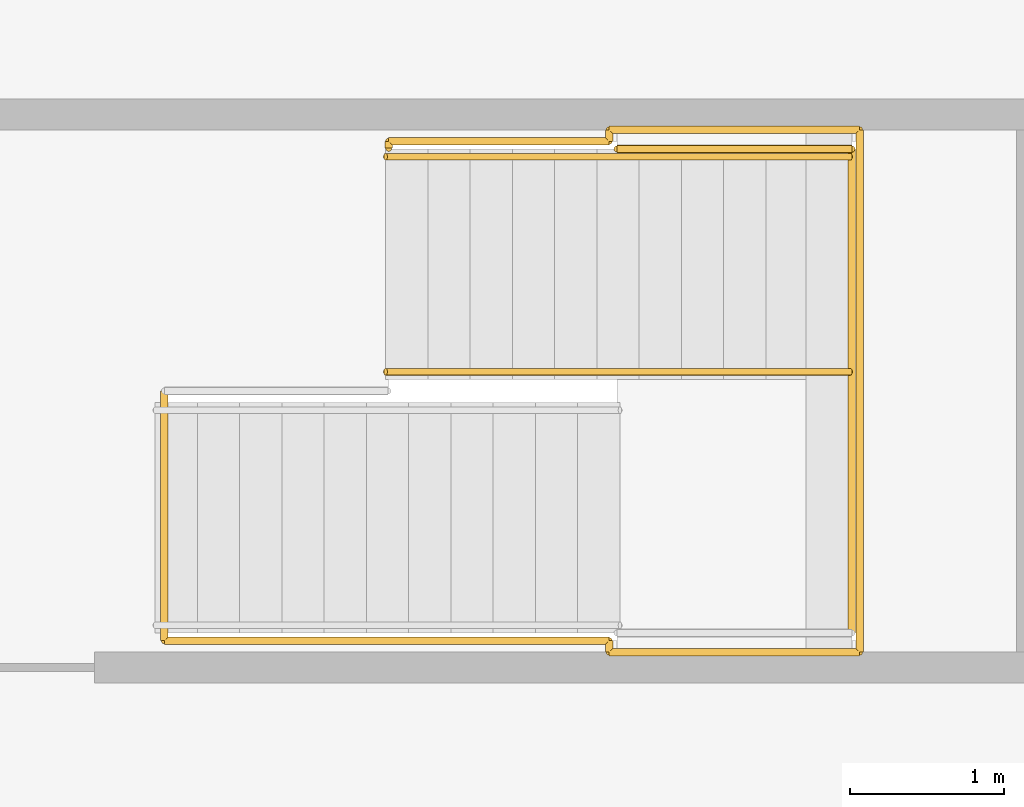
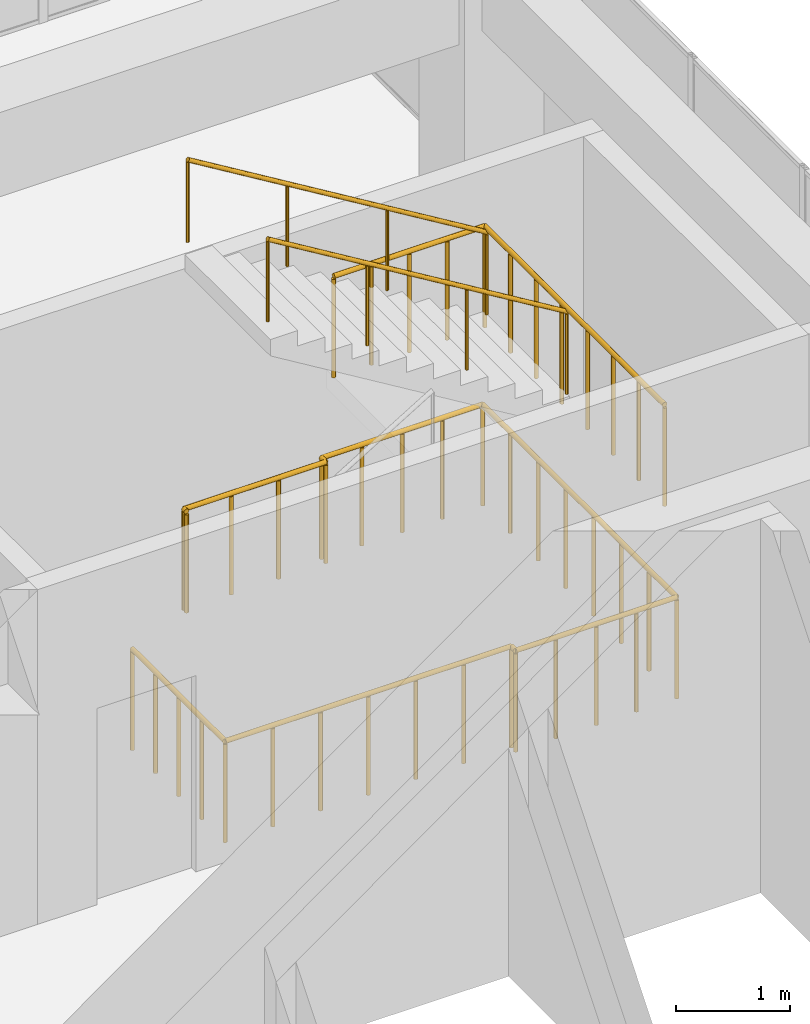
# One storey, part 52 of 52: 5 railings.
"""IFC4 building model written with IfcOpenShell, lengths in metres."""

from ifc_helpers import new_model, si_unit, direction, frame, origin, origin_2d, place, context, subcontext, project, spatial, circle, extrude, material, type_object, element, save


model = new_model("IFC4")

# Units and contexts
model_context = context("Model", 3, precision=1e-05, world=origin(), true_north=direction((0.0, 1.0)))
body_context = subcontext(model_context, "Body", "Model", "MODEL_VIEW")
ifc_project = project(units=[si_unit("LENGTHUNIT", "METRE"), si_unit("AREAUNIT", "SQUARE_METRE"), si_unit("VOLUMEUNIT", "CUBIC_METRE"), si_unit("PLANEANGLEUNIT", "RADIAN"), si_unit("MASSUNIT", "GRAM", prefix="KILO")], contexts=[model_context])

# Site, building, storey
site_placement = place(None, origin())
site = spatial("IfcSite", under=ifc_project, at=site_placement, CompositionType="ELEMENT")
building_placement = place(site_placement, origin())
building = spatial("IfcBuilding", under=site, at=building_placement, Name="Tuart Plaza Theatre", CompositionType="ELEMENT")
storey_placement = place(building_placement, frame((0.0, 0.0, 25.5)))
storey = spatial("IfcBuildingStorey", under=building, at=storey_placement, Name="L06", CompositionType="ELEMENT", Elevation=25.5)

# Railings
ifc_material_1 = material(Name="Steel Grade C350L0", Category="steel")
railing_type_1 = type_object("IfcRailingType", Name="RAILING Guard 1100", PredefinedType="GUARDRAIL", material=ifc_material_1)
railing_1_placement = place(storey_placement, frame((136.114990234375, 88.705078125, 0.0)))
element("IfcRailing", 1, at=railing_1_placement, inside=storey, type_object=railing_type_1, Name="GR304", PredefinedType="GUARDRAIL", context=body_context, shape_type="SweptSolid", body=[
    extrude(circle(Radius=0.02490234375, at=origin_2d()), frame((0.0, 0.0, 1.0751953125), z_axis=(0.0, 1.0, 0.0), x_axis=(-1.0, 0.0, 0.0)), (0.0, 0.0, 1.0), 0.044921875),
    extrude(circle(Radius=0.02490234375, at=origin_2d()), frame((0.0, 0.044921875, 1.0751953125), z_axis=(1.0, 0.0, 0.0), x_axis=(0.0, 1.0, 0.0)), (0.0, 0.0, 1.0), 1.43505859375),
    extrude(circle(Radius=0.02490234375, at=origin_2d()), frame((1.43505859375, 0.044921875, 1.0751953125), z_axis=(0.0, 1.0, 0.0), x_axis=(-1.0, 0.0, 0.0)), (0.0, 0.0, 1.0), 0.074951171875),
    extrude(circle(Radius=0.02490234375, at=origin_2d()), frame((1.43505859375, 0.119873046875, 1.0751953125), z_axis=(1.0, 0.0, 0.0), x_axis=(0.0, 1.0, 0.0)), (0.0, 0.0, 1.0), 1.6298828125),
    extrude(circle(Radius=0.02490234375, at=origin_2d()), frame((3.06494140625, 0.119873046875, 1.0751953125), z_axis=(0.0, -1.0, 0.0), x_axis=(1.0, 0.0, 0.0)), (0.0, 0.0, 1.0), 3.39990234375),
    extrude(circle(Radius=0.02490234375, at=origin_2d()), frame((3.06494140625, -3.280029296875, 1.0751953125), z_axis=(-1.0, 0.0, 0.0), x_axis=(0.0, -1.0, 0.0)), (0.0, 0.0, 1.0), 1.6298828125),
    extrude(circle(Radius=0.02490234375, at=origin_2d()), frame((1.43505859375, -3.280029296875, 1.0751953125), z_axis=(0.0, 1.0, 0.0), x_axis=(-1.0, 0.0, 0.0)), (0.0, 0.0, 1.0), 0.074951171875),
    extrude(circle(Radius=0.02490234375, at=origin_2d()), frame((1.43505859375, -3.205078125, 1.0751953125), z_axis=(-1.0, 0.0, 0.0), x_axis=(0.0, -1.0, 0.0)), (0.0, 0.0, 1.0), 2.89501953125),
    extrude(circle(Radius=0.02490234375, at=origin_2d()), frame((-1.4599609375, -3.205078125, 1.0751953125), z_axis=(0.0, 1.0, 0.0), x_axis=(-1.0, 0.0, 0.0)), (0.0, 0.0, 1.0), 1.625),
    extrude(circle(Radius=0.02001953125, at=origin_2d()), origin(), (0.0, 0.0, 1.0), 1.050048828125),
    extrude(circle(Radius=0.02001953125, at=origin_2d()), frame((0.0, 0.044921875, 0.0)), (0.0, 0.0, 1.0), 1.050048828125),
    extrude(circle(Radius=0.02001953125, at=origin_2d()), frame((0.478271484375, 0.044921875, 0.0)), (0.0, 0.0, 1.0), 1.050048828125),
    extrude(circle(Radius=0.02001953125, at=origin_2d()), frame((0.956787109375, 0.044921875, 0.0)), (0.0, 0.0, 1.0), 1.050048828125),
    extrude(circle(Radius=0.02001953125, at=origin_2d()), frame((1.43505859375, 0.044921875, 0.0)), (0.0, 0.0, 1.0), 1.050048828125),
    extrude(circle(Radius=0.02001953125, at=origin_2d()), frame((1.43505859375, 0.119873046875, 0.0)), (0.0, 0.0, 1.0), 1.050048828125),
    extrude(circle(Radius=0.02001953125, at=origin_2d()), frame((1.842529296875, 0.119873046875, 0.0)), (0.0, 0.0, 1.0), 1.050048828125),
    extrude(circle(Radius=0.02001953125, at=origin_2d()), frame((2.25, 0.119873046875, 0.0)), (0.0, 0.0, 1.0), 1.050048828125),
    extrude(circle(Radius=0.02001953125, at=origin_2d()), frame((2.657470703125, 0.119873046875, 0.0)), (0.0, 0.0, 1.0), 1.050048828125),
    extrude(circle(Radius=0.02001953125, at=origin_2d()), frame((3.06494140625, 0.119873046875, 0.0)), (0.0, 0.0, 1.0), 1.050048828125),
    extrude(circle(Radius=0.02001953125, at=origin_2d()), frame((3.06494140625, -0.36572265625, 0.0)), (0.0, 0.0, 1.0), 1.050048828125),
    extrude(circle(Radius=0.02001953125, at=origin_2d()), frame((3.06494140625, -0.8515625, 0.0)), (0.0, 0.0, 1.0), 1.050048828125),
    extrude(circle(Radius=0.02001953125, at=origin_2d()), frame((3.06494140625, -1.337158203125, 0.0)), (0.0, 0.0, 1.0), 1.050048828125),
    extrude(circle(Radius=0.02001953125, at=origin_2d()), frame((3.06494140625, -1.822998046875, 0.0)), (0.0, 0.0, 1.0), 1.050048828125),
    extrude(circle(Radius=0.02001953125, at=origin_2d()), frame((3.06494140625, -2.30859375, 0.0)), (0.0, 0.0, 1.0), 1.050048828125),
    extrude(circle(Radius=0.02001953125, at=origin_2d()), frame((3.06494140625, -2.79443359375, 0.0)), (0.0, 0.0, 1.0), 1.050048828125),
    extrude(circle(Radius=0.02001953125, at=origin_2d()), frame((3.06494140625, -3.280029296875, 0.0)), (0.0, 0.0, 1.0), 1.050048828125),
    extrude(circle(Radius=0.02001953125, at=origin_2d()), frame((2.657470703125, -3.280029296875, 0.0)), (0.0, 0.0, 1.0), 1.050048828125),
    extrude(circle(Radius=0.02001953125, at=origin_2d()), frame((2.25, -3.280029296875, 0.0)), (0.0, 0.0, 1.0), 1.050048828125),
    extrude(circle(Radius=0.02001953125, at=origin_2d()), frame((1.842529296875, -3.280029296875, 0.0)), (0.0, 0.0, 1.0), 1.050048828125),
    extrude(circle(Radius=0.02001953125, at=origin_2d()), frame((1.43505859375, -3.280029296875, 0.0)), (0.0, 0.0, 1.0), 1.050048828125),
    extrude(circle(Radius=0.02001953125, at=origin_2d()), frame((1.43505859375, -3.205078125, 0.0)), (0.0, 0.0, 1.0), 1.050048828125),
    extrude(circle(Radius=0.02001953125, at=origin_2d()), frame((0.95263671875, -3.205078125, 0.0)), (0.0, 0.0, 1.0), 1.050048828125),
    extrude(circle(Radius=0.02001953125, at=origin_2d()), frame((0.469970703125, -3.205078125, 0.0)), (0.0, 0.0, 1.0), 1.050048828125),
    extrude(circle(Radius=0.02001953125, at=origin_2d()), frame((-0.012451171875, -3.205078125, 0.0)), (0.0, 0.0, 1.0), 1.050048828125),
    extrude(circle(Radius=0.02001953125, at=origin_2d()), frame((-0.494873046875, -3.205078125, 0.0)), (0.0, 0.0, 1.0), 1.050048828125),
    extrude(circle(Radius=0.02001953125, at=origin_2d()), frame((-0.9775390625, -3.205078125, 0.0)), (0.0, 0.0, 1.0), 1.050048828125),
    extrude(circle(Radius=0.02001953125, at=origin_2d()), frame((-1.4599609375, -3.205078125, 0.0)), (0.0, 0.0, 1.0), 1.050048828125),
    extrude(circle(Radius=0.02001953125, at=origin_2d()), frame((-1.4599609375, -2.798828125, 0.0)), (0.0, 0.0, 1.0), 1.050048828125),
    extrude(circle(Radius=0.02001953125, at=origin_2d()), frame((-1.4599609375, -2.392578125, 0.0)), (0.0, 0.0, 1.0), 1.050048828125),
    extrude(circle(Radius=0.02001953125, at=origin_2d()), frame((-1.4599609375, -1.986328125, 0.0)), (0.0, 0.0, 1.0), 1.050048828125),
    extrude(circle(Radius=0.02001953125, at=origin_2d()), frame((-1.4599609375, -1.580078125, 0.0)), (0.0, 0.0, 1.0), 1.050048828125),
])
railing_2_placement = place(storey_placement, frame((139.1298828125, 85.550048828125, 2.0)))
element("IfcRailing", 2, at=railing_2_placement, inside=storey, type_object=railing_type_1, Name="GR311", PredefinedType="GUARDRAIL", context=body_context, shape_type="SweptSolid", body=[
    extrude(circle(Radius=0.02490234375, at=origin_2d()), frame((0.0, 0.0, 1.0751953125), z_axis=(0.0, 1.0, 0.0), x_axis=(-1.0, 0.0, 0.0)), (0.0, 0.0, 1.0), 3.14990234375),
    extrude(circle(Radius=0.02001953125, at=origin_2d()), origin(), (0.0, 0.0, 1.0), 1.050048828125),
    extrude(circle(Radius=0.02001953125, at=origin_2d()), frame((0.0, 0.449951171875, 0.0)), (0.0, 0.0, 1.0), 1.050048828125),
    extrude(circle(Radius=0.02001953125, at=origin_2d()), frame((0.0, 0.89990234375, 0.0)), (0.0, 0.0, 1.0), 1.050048828125),
    extrude(circle(Radius=0.02001953125, at=origin_2d()), frame((0.0, 1.349853515625, 0.0)), (0.0, 0.0, 1.0), 1.050048828125),
    extrude(circle(Radius=0.02001953125, at=origin_2d()), frame((0.0, 1.800048828125, 0.0)), (0.0, 0.0, 1.0), 1.050048828125),
    extrude(circle(Radius=0.02001953125, at=origin_2d()), frame((0.0, 2.25, 0.0)), (0.0, 0.0, 1.0), 1.050048828125),
    extrude(circle(Radius=0.02001953125, at=origin_2d()), frame((0.0, 2.699951171875, 0.0)), (0.0, 0.0, 1.0), 1.050048828125),
    extrude(circle(Radius=0.02001953125, at=origin_2d()), frame((0.0, 3.14990234375, 0.0)), (0.0, 0.0, 1.0), 1.050048828125),
])
railing_3_placement = place(storey_placement, frame((139.1298828125, 88.699951171875, 2.0)))
element("IfcRailing", 3, at=railing_3_placement, inside=storey, type_object=railing_type_1, Name="GR312", PredefinedType="GUARDRAIL", context=body_context, shape_type="SweptSolid", body=[
    extrude(circle(Radius=0.02490234375, at=origin_2d()), frame((0.0, 0.0, 1.0751953125), z_axis=(-1.0, 0.0, 0.0), x_axis=(0.0, -1.0, 0.0)), (0.0, 0.0, 1.0), 1.52978515625),
    extrude(circle(Radius=0.02001953125, at=origin_2d()), origin(), (0.0, 0.0, 1.0), 1.050048828125),
    extrude(circle(Radius=0.02001953125, at=origin_2d()), frame((-0.38232421875, 0.0, 0.0)), (0.0, 0.0, 1.0), 1.050048828125),
    extrude(circle(Radius=0.02001953125, at=origin_2d()), frame((-0.764892578125, 0.0, 0.0)), (0.0, 0.0, 1.0), 1.050048828125),
    extrude(circle(Radius=0.02001953125, at=origin_2d()), frame((-1.1474609375, 0.0, 0.0)), (0.0, 0.0, 1.0), 1.050048828125),
    extrude(circle(Radius=0.02001953125, at=origin_2d()), frame((-1.52978515625, 0.0, 0.0)), (0.0, 0.0, 1.0), 1.050048828125),
])
ifc_material_2 = material(Name="Steel Grade C350L0", Category="steel")
railing_type_2 = type_object("IfcRailingType", Name="RAILING Handrail 900", PredefinedType="HANDRAIL", material=ifc_material_2)
for number, where, name in (
    (4, (139.1201171875, 87.25, 2.166748046875), "HR205"),
    (5, (139.1201171875, 88.64990234375, 2.166748046875), "HR206"),
):
    element("IfcRailing", number, at=place(storey_placement, frame(where)), inside=storey, type_object=railing_type_2, Name=name, PredefinedType="HANDRAIL", context=body_context, shape_type="SweptSolid", body=[
        extrude(circle(Radius=0.0224609375, at=origin_2d()), frame((0.0, 0.0, 0.87744140625), z_axis=(-0.855219153138, 0.0, 0.518266533848), x_axis=(0.0, -1.0, 0.0)), (0.0, 0.0, 1.0), 3.537353515625),
        extrude(circle(Radius=0.01513671875, at=origin_2d()), origin(), (0.0, 0.0, 1.0), 0.85498046875),
        extrude(circle(Radius=0.01513671875, at=origin_2d()), frame((-1.00830078125, 0.0, 0.611083984375)), (0.0, 0.0, 1.0), 0.85498046875),
        extrude(circle(Radius=0.01513671875, at=origin_2d()), frame((-2.016845703125, 0.0, 1.22216796875)), (0.0, 0.0, 1.0), 0.85498046875),
        extrude(circle(Radius=0.01513671875, at=origin_2d()), frame((-3.025146484375, 0.0, 1.833251953125)), (0.0, 0.0, 1.0), 0.85498046875),
    ])

save(model, "model.ifc")
